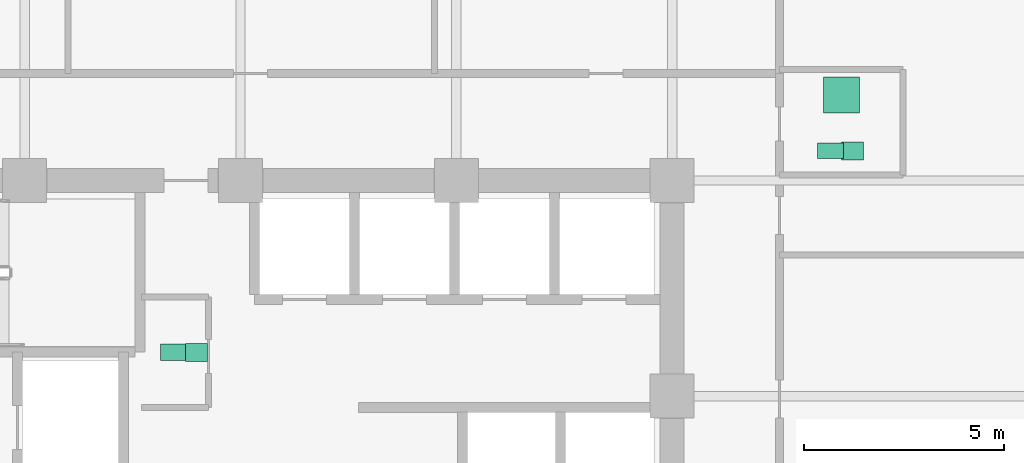
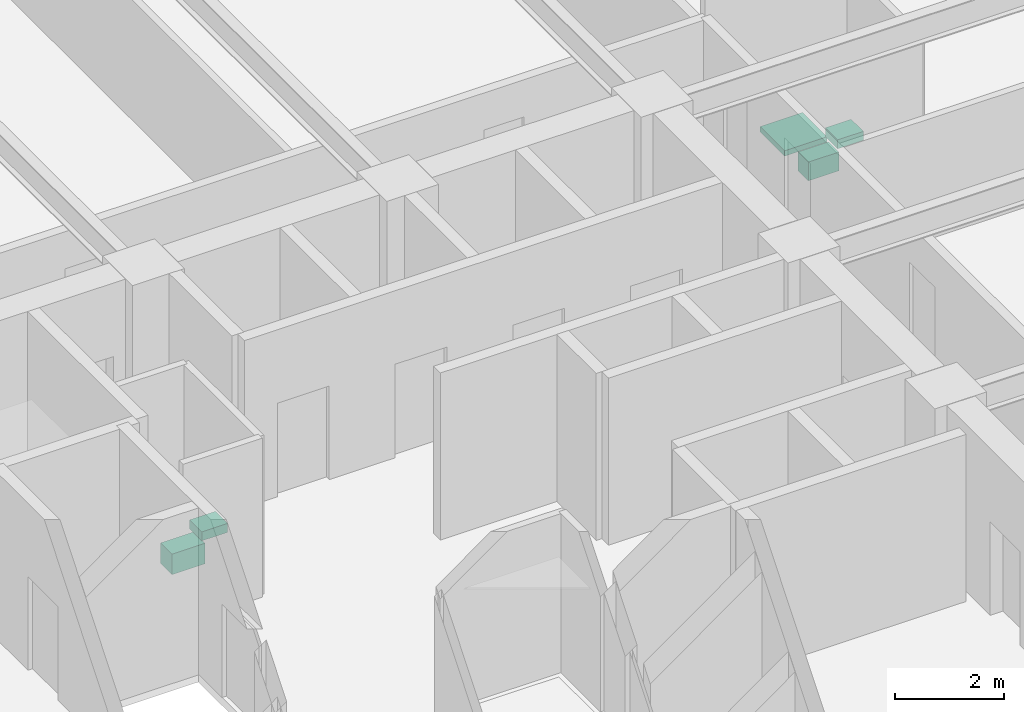
# One storey, part 23 of 23: 5 sanitary terminals.
"""IFC4 building model written with IfcOpenShell, lengths in metres."""

from ifc_helpers import new_model, si_unit, direction, frame, origin, origin_2d, place, context, subcontext, project, spatial, rectangle, extrude, material, type_object, element, save


model = new_model("IFC4")

# Units and contexts
model_context = context("Model", 3, precision=1e-05, world=origin(), true_north=direction((0.0, 1.0)))
body_context = subcontext(model_context, "Body", "Model", "MODEL_VIEW")
ifc_project = project(units=[si_unit("LENGTHUNIT", "METRE"), si_unit("AREAUNIT", "SQUARE_METRE"), si_unit("VOLUMEUNIT", "CUBIC_METRE"), si_unit("PLANEANGLEUNIT", "RADIAN"), si_unit("MASSUNIT", "GRAM", prefix="KILO")], contexts=[model_context])

# Site, building, storey
site_placement = place(None, origin())
site = spatial("IfcSite", under=ifc_project, at=site_placement, CompositionType="ELEMENT")
building_placement = place(site_placement, origin())
building = spatial("IfcBuilding", under=site, at=building_placement, Name="Surkhivell Harbour Commons", CompositionType="ELEMENT")
storey_placement = place(building_placement, frame((0.0, 0.0, 132.0)))
storey = spatial("IfcBuildingStorey", under=building, at=storey_placement, Name="L34", CompositionType="ELEMENT", Elevation=132.0)

# Sanitary terminals
ifc_material_1 = material(Name="Vitreous china washbasin", Category="other")
sanitary_terminal_type_1 = type_object("IfcSanitaryTerminalType", Name="SAN-BSN", PredefinedType="WASHHANDBASIN", material=ifc_material_1)
for number, where, z_axis, x_axis, name in (
    (1, (-1.10009765625, 6.5, 0.72021484375), (0.0, 0.0, 1.0), (1.0, 0.0, 0.0), "L34 Core Accessible WC Washbasin"),
    (2, (15.31005859375, 11.5400390625, 0.72021484375), (0.0, 0.0, 1.0), (1.0, 0.0, 0.0), "L34 East Communal Bathroom WC Washbasin"),
):
    element("IfcSanitaryTerminal", number, at=place(storey_placement, frame(where, z_axis=z_axis, x_axis=x_axis)), inside=storey, type_object=sanitary_terminal_type_1, Name=name, PredefinedType="WASHHANDBASIN", context=body_context, shape_type="SweptSolid", body=[
        extrude(rectangle(XDim=0.550048828125, YDim=0.449951171875, at=origin_2d()), origin(), (0.0, 0.0, 1.0), 0.199951171875),
    ])
ifc_material_2 = material(Name="Glazed porcelain shower tray", Category="other")
sanitary_terminal_type_2 = type_object("IfcSanitaryTerminalType", Name="SAN-SHW", PredefinedType="SHOWER", material=ifc_material_2)
sanitary_terminal_1_placement = place(storey_placement, frame((15.0400390625, 12.93994140625, 0.0), z_axis=(0.0, 0.0, 1.0), x_axis=(1.0, 0.0, 0.0)))
element("IfcSanitaryTerminal", 3, at=sanitary_terminal_1_placement, inside=storey, type_object=sanitary_terminal_type_2, Name="L34 East Communal Shower Tray", PredefinedType="SHOWER", context=body_context, shape_type="SweptSolid", body=[
    extrude(rectangle(XDim=0.89990234375, YDim=0.89990234375, at=origin_2d()), origin(), (0.0, 0.0, 1.0), 0.1201171875),
])
ifc_material_3 = material(Name="Vitreous china sanitaryware", Category="other")
sanitary_terminal_type_3 = type_object("IfcSanitaryTerminalType", Name="SAN-WC-ACC", PredefinedType="TOILETPAN", material=ifc_material_3)
sanitary_terminal_2_placement = place(storey_placement, frame((-1.64990234375, 6.5, 0.169921875), z_axis=(0.0, 0.0, 1.0), x_axis=(1.0, 0.0, 0.0)))
element("IfcSanitaryTerminal", 4, at=sanitary_terminal_2_placement, inside=storey, type_object=sanitary_terminal_type_3, Name="L34 Core Accessible WC", PredefinedType="TOILETPAN", context=body_context, shape_type="SweptSolid", body=[
    extrude(rectangle(XDim=0.699951171875, YDim=0.419921875, at=origin_2d()), origin(), (0.0, 0.0, 1.0), 0.4599609375),
])
sanitary_terminal_type_4 = type_object("IfcSanitaryTerminalType", Name="SAN-WC-STD", PredefinedType="TOILETPAN", material=ifc_material_3)
sanitary_terminal_3_placement = place(storey_placement, frame((14.760009765625, 11.5400390625, 0.18994140625), z_axis=(0.0, 0.0, 1.0), x_axis=(1.0, 0.0, 0.0)))
element("IfcSanitaryTerminal", 5, at=sanitary_terminal_3_placement, inside=storey, type_object=sanitary_terminal_type_4, Name="L34 East Communal Bathroom WC", PredefinedType="TOILETPAN", context=body_context, shape_type="SweptSolid", body=[
    extrude(rectangle(XDim=0.64990234375, YDim=0.3798828125, at=origin_2d()), origin(), (0.0, 0.0, 1.0), 0.419921875),
])

save(model, "model.ifc")
